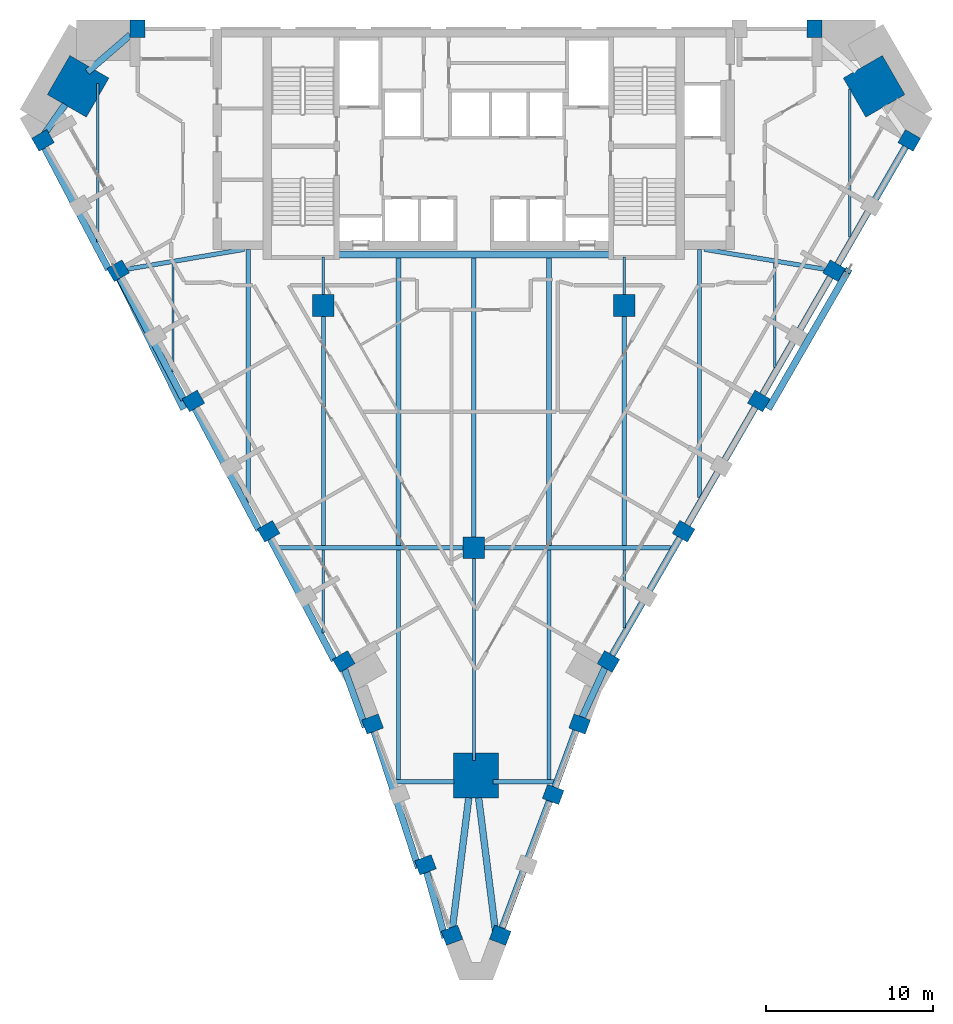
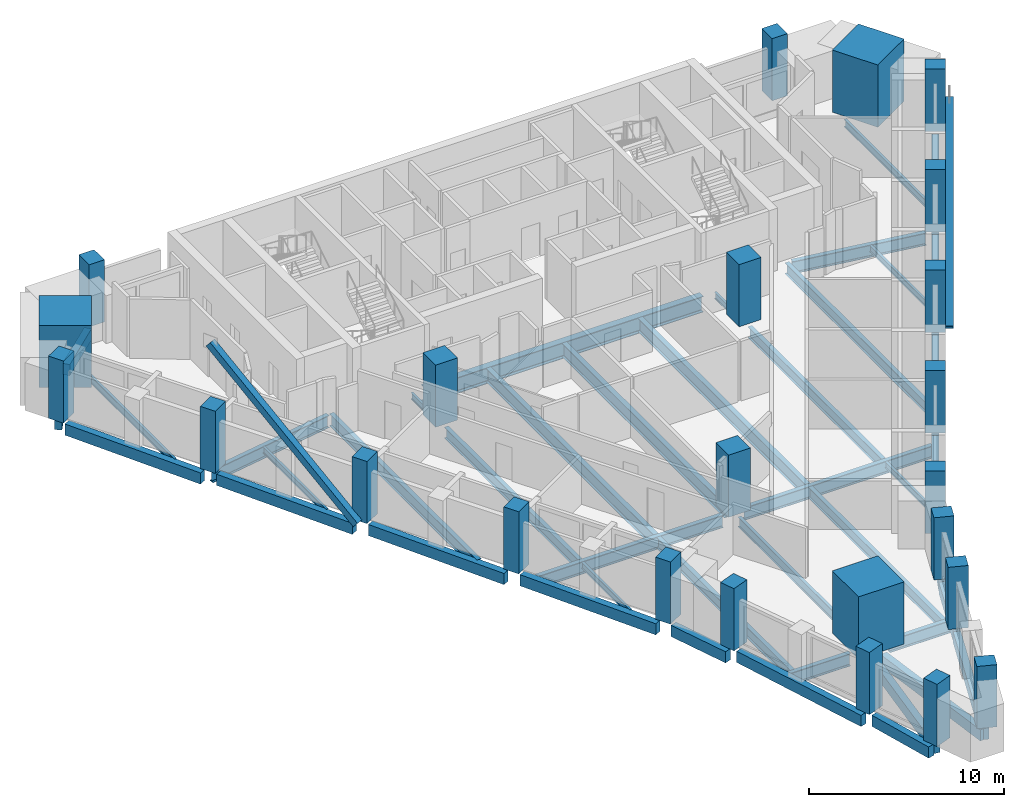
# One storey, part 1 of 9: 43 beams, 24 columns, 2 members.
"""IFC4 building model written with IfcOpenShell, lengths in metres."""

from ifc_helpers import new_model, si_unit, direction, frame, origin, origin_2d, place, context, subcontext, project, spatial, rectangle, hollow_rectangle, i_section, extrude, material, material_profile, profile_set, type_object, element, save


model = new_model("IFC4")

# Units and contexts
model_context = context("Model", 3, precision=1e-05, world=origin(), true_north=direction((0.0, 1.0)))
body_context = subcontext(model_context, "Body", "Model", "MODEL_VIEW")
ifc_project = project(units=[si_unit("LENGTHUNIT", "METRE"), si_unit("AREAUNIT", "SQUARE_METRE"), si_unit("VOLUMEUNIT", "CUBIC_METRE"), si_unit("PLANEANGLEUNIT", "RADIAN"), si_unit("MASSUNIT", "GRAM", prefix="KILO")], contexts=[model_context])

# Site, building, storey
site_placement = place(None, origin())
site = spatial("IfcSite", under=ifc_project, at=site_placement, CompositionType="ELEMENT")
building_placement = place(site_placement, origin())
building = spatial("IfcBuilding", under=site, at=building_placement, Name="Calabash Gate Tower", CompositionType="ELEMENT")
storey_placement = place(building_placement, frame((0.0, 0.0, 160.199951171875)))
storey = spatial("IfcBuildingStorey", under=building, at=storey_placement, Name="L37", CompositionType="ELEMENT", Elevation=160.199951171875)

# Columns
ifc_material_1 = material(Name="Concrete C70/85", Category="concrete")
ifc_material_profile_1 = material_profile(ifc_material_1, rectangle(XDim=1.300048828125, YDim=1.300048828125, at=origin_2d()))
ifc_profile_set_1 = profile_set([ifc_material_profile_1], Name="Concrete C70/85")
column_type_1 = type_object("IfcColumnType", Name="Interior column RC 1300x1300 Concrete C70/85", PredefinedType="COLUMN", material=ifc_profile_set_1)
for number, where, z_axis, x_axis, name in (
    (1, (-9.0, 2.5, 0.0), (0.0, 0.0, 1.0), (1.0, 0.0, 0.0), "Interior column L37 I0"),
    (2, (9.0, 2.5, 0.0), (0.0, 0.0, 1.0), (1.0, 0.0, 0.0), "Interior column L37 I1"),
    (3, (0.0, -12.0, 0.0), (0.0, 0.0, 1.0), (1.0, 0.0, 0.0), "Interior column L37 I2"),
):
    element("IfcColumn", number, at=place(storey_placement, frame(where, z_axis=z_axis, x_axis=x_axis)), inside=storey, type_object=column_type_1, Name=name, PredefinedType="COLUMN", context=body_context, shape_type="SweptSolid", body=[
        extrude(rectangle(XDim=1.300048828125, YDim=1.300048828125, at=origin_2d()), origin(), (0.0, 0.0, 1.0), 3.900146484375),
    ])
ifc_material_2 = material(Name="Concrete C70/85", Category="concrete")
ifc_material_profile_2 = material_profile(ifc_material_2, rectangle(XDim=2.699951171875, YDim=2.699951171875, at=origin_2d()))
ifc_profile_set_2 = profile_set([ifc_material_profile_2], Name="Concrete C70/85")
column_type_2 = type_object("IfcColumnType", Name="Mega column RC 2700x2700 Concrete C70/85", PredefinedType="COLUMN", material=ifc_profile_set_2)
for number, where, z_axis, x_axis, name in (
    (4, (-23.674072265625, 15.610107421875, 0.0), (0.0, 0.0, 1.0), (0.866025386331, -0.50000003023, 0.0), "Mega column L37 NW"),
    (5, (23.948974609375, 15.610107421875, 0.0), (0.0, 0.0, 1.0), (-0.866025386331, -0.50000003023, 0.0), "Mega column L37 NE"),
    (6, (0.136962890625, -25.633056640625, 0.0), (0.0, 0.0, 1.0), (0.0, 1.0, 0.0), "Mega column L37 S"),
):
    element("IfcColumn", number, at=place(storey_placement, frame(where, z_axis=z_axis, x_axis=x_axis)), inside=storey, type_object=column_type_2, Name=name, PredefinedType="COLUMN", context=body_context, shape_type="SweptSolid", body=[
        extrude(rectangle(XDim=2.699951171875, YDim=2.699951171875, at=origin_2d()), origin(), (0.0, 0.0, 1.0), 3.900146484375),
    ])
ifc_material_3 = material(Name="Concrete C60/75", Category="concrete")
ifc_material_profile_3 = material_profile(ifc_material_3, rectangle(XDim=0.89990234375, YDim=1.050048828125, at=origin_2d()))
ifc_profile_set_3 = profile_set([ifc_material_profile_3], Name="Concrete C60/75")
column_type_3 = type_object("IfcColumnType", Name="Perimeter column RC 900x1050 Concrete C60/75", PredefinedType="COLUMN", material=ifc_profile_set_3)
for number, where, z_axis, x_axis, name in (
    (7, (-25.779052734375, 12.3720703125, 0.0), (0.0, 0.0, 1.0), (0.499999984885, -0.866025412511, 0.0), "Perimeter column L37 P20"),
    (8, (-21.279052734375, 4.576904296875, 0.0), (0.0, 0.0, 1.0), (0.499999984885, -0.866025412511, 0.0), "Perimeter column L37 P00"),
    (9, (-16.779052734375, -3.217041015625, 0.0), (0.0, 0.0, 1.0), (0.499999984885, -0.866025412511, 0.0), "Perimeter column L37 P01"),
    (10, (-12.279052734375, -11.010986328125, 0.0), (0.0, 0.0, 1.0), (0.499999984885, -0.866025412511, 0.0), "Perimeter column L37 P02"),
    (11, (-7.779052734375, -18.802978515625, 0.0), (0.0, 0.0, 1.0), (0.499999984885, -0.866025412511, 0.0), "Perimeter column L37 P03"),
    (12, (-6.053955078125, -22.5439453125, 0.0), (0.0, 0.0, 1.0), (0.351822500991, -0.936066732555, 0.0), "Perimeter column L37 P25"),
    (13, (-2.887939453125, -30.968994140625, 0.0), (0.0, 0.0, 1.0), (0.351822500991, -0.936066732555, 0.0), "Perimeter column L37 P26"),
    (14, (-1.303955078125, -35.180908203125, 0.0), (0.0, 0.0, 1.0), (0.351822500991, -0.936066732555, 0.0), "Perimeter column L37 P27"),
    (15, (1.5791015625, -35.180908203125, 0.0), (0.0, 0.0, 1.0), (0.351822451979, 0.936066750977, 0.0), "Perimeter column L37 P28"),
    (16, (4.74609375, -26.757080078125, 0.0), (0.0, 0.0, 1.0), (0.351822451979, 0.936066750977, 0.0), "Perimeter column L37 P08"),
    (17, (6.3291015625, -22.5439453125, 0.0), (0.0, 0.0, 1.0), (0.351822451979, 0.936066750977, 0.0), "Perimeter column L37 P29"),
    (18, (8.053955078125, -18.802978515625, 0.0), (0.0, 0.0, 1.0), (0.500000015115, 0.866025395058, 0.0), "Perimeter column L37 P09"),
    (19, (12.553955078125, -11.010986328125, 0.0), (0.0, 0.0, 1.0), (0.500000015115, 0.866025395058, 0.0), "Perimeter column L37 P10"),
    (20, (17.053955078125, -3.217041015625, 0.0), (0.0, 0.0, 1.0), (0.500000015115, 0.866025395058, 0.0), "Perimeter column L37 P11"),
    (21, (21.553955078125, 4.576904296875, 0.0), (0.0, 0.0, 1.0), (0.500000015115, 0.866025395058, 0.0), "Perimeter column L37 P12"),
    (22, (26.053955078125, 12.3720703125, 0.0), (0.0, 0.0, 1.0), (0.500000015115, 0.866025395058, 0.0), "Perimeter column L37 P13"),
    (23, (20.386962890625, 19.052978515625, 0.0), (0.0, 0.0, 1.0), (-1.0, 0.0, 0.0), "Perimeter column L37 P24"),
    (24, (-20.113037109375, 19.052978515625, 0.0), (0.0, 0.0, 1.0), (-1.0, 0.0, 0.0), "Perimeter column L37 P17"),
):
    element("IfcColumn", number, at=place(storey_placement, frame(where, z_axis=z_axis, x_axis=x_axis)), inside=storey, type_object=column_type_3, Name=name, PredefinedType="COLUMN", context=body_context, shape_type="SweptSolid", body=[
        extrude(rectangle(XDim=0.89990234375, YDim=1.050048828125, at=origin_2d()), origin(), (0.0, 0.0, 1.0), 3.900146484375),
    ])

# Beams
ifc_material_4 = material(Name="Concrete C50/60", Category="concrete")
ifc_material_profile_4 = material_profile(ifc_material_4, rectangle(XDim=0.39990234375, YDim=0.699951171875, at=origin_2d()))
ifc_profile_set_4 = profile_set([ifc_material_profile_4], Name="Concrete C50/60")
beam_type_1 = type_object("IfcBeamType", Name="Edge beam RC 400x700 Concrete C50/60", PredefinedType="BEAM", material=ifc_profile_set_4)
beam_1_placement = place(storey_placement, frame((-16.68408203125, -3.65087890625, -0.52001953125), z_axis=(0.465570473205, -0.885010810374, 0.0), x_axis=(0.885010810374, 0.465570473205, 0.0)))
element("IfcBeam", 25, at=beam_1_placement, inside=storey, type_object=beam_type_1, Name="Edge beam L37 1", PredefinedType="BEAM", context=body_context, shape_type="SweptSolid", body=[
    extrude(rectangle(XDim=0.39990234375, YDim=0.699951171875, at=origin_2d()), origin(), (0.0, 0.0, 1.0), 8.235107421875),
])
beam_2_placement = place(storey_placement, frame((-12.18408203125, -11.443115234375, -0.52001953125), z_axis=(0.465484978649, -0.885055780532, 0.0), x_axis=(0.885055780532, 0.465484978649, 0.0)))
element("IfcBeam", 26, at=beam_2_placement, inside=storey, type_object=beam_type_1, Name="Edge beam L37 2", PredefinedType="BEAM", context=body_context, shape_type="SweptSolid", body=[
    extrude(rectangle(XDim=0.39990234375, YDim=0.699951171875, at=origin_2d()), origin(), (0.0, 0.0, 1.0), 8.236572265625),
])
beam_3_placement = place(storey_placement, frame((-7.73291015625, -19.26904296875, -0.52001953125), z_axis=(0.338776020722, -0.940867051067, 0.0), x_axis=(0.940867051067, 0.338776020722, 0.0)))
element("IfcBeam", 27, at=beam_3_placement, inside=storey, type_object=beam_type_1, Name="Edge beam L37 3", PredefinedType="BEAM", context=body_context, shape_type="SweptSolid", body=[
    extrude(rectangle(XDim=0.39990234375, YDim=0.699951171875, at=origin_2d()), origin(), (0.0, 0.0, 1.0), 3.6689453125),
])
beam_4_placement = place(storey_placement, frame((-5.970947265625, -22.962890625, -0.52001953125), z_axis=(0.309089924102, -0.951032816899, 0.0), x_axis=(0.951032816899, 0.309089924102, 0.0)))
element("IfcBeam", 28, at=beam_4_placement, inside=storey, type_object=beam_type_1, Name="Edge beam L37 4", PredefinedType="BEAM", context=body_context, shape_type="SweptSolid", body=[
    extrude(rectangle(XDim=0.39990234375, YDim=0.699951171875, at=origin_2d()), origin(), (0.0, 0.0, 1.0), 8.599365234375),
])
beam_5_placement = place(storey_placement, frame((-2.81591796875, -31.406005859375, -0.52001953125), z_axis=(0.269004169769, -0.963139012109, 0.0), x_axis=(0.963139012109, 0.269004169769, 0.0)))
element("IfcBeam", 29, at=beam_5_placement, inside=storey, type_object=beam_type_1, Name="Edge beam L37 5", PredefinedType="BEAM", context=body_context, shape_type="SweptSolid", body=[
    extrude(rectangle(XDim=0.39990234375, YDim=0.699951171875, at=origin_2d()), origin(), (0.0, 0.0, 1.0), 4.081298828125),
])
beam_6_placement = place(storey_placement, frame((-1.3330078125, -35.196044921875, -0.52001953125), z_axis=(0.124240929665, 0.99225208057, 0.0), x_axis=(-0.99225208057, 0.124240929665, 0.0)))
element("IfcBeam", 30, at=beam_6_placement, inside=storey, type_object=beam_type_1, Name="Edge beam L37 6", PredefinedType="BEAM", context=body_context, shape_type="SweptSolid", body=[
    extrude(rectangle(XDim=0.39990234375, YDim=0.699951171875, at=origin_2d()), origin(), (0.0, 0.0, 1.0), 8.306396484375),
])
beam_7_placement = place(storey_placement, frame((0.287109375, -26.9541015625, -0.52001953125), z_axis=(0.125640473024, -0.99207583961, 0.0), x_axis=(0.99207583961, 0.125640473024, 0.0)))
element("IfcBeam", 31, at=beam_7_placement, inside=storey, type_object=beam_type_1, Name="Edge beam L37 7", PredefinedType="BEAM", context=body_context, shape_type="SweptSolid", body=[
    extrude(rectangle(XDim=0.39990234375, YDim=0.699951171875, at=origin_2d()), origin(), (0.0, 0.0, 1.0), 8.47607421875),
])
beam_8_placement = place(storey_placement, frame((1.451904296875, -35.39208984375, -0.52001953125), z_axis=(0.349546583338, 0.936918985866, 0.0), x_axis=(-0.936918985866, 0.349546583338, 0.0)))
element("IfcBeam", 32, at=beam_8_placement, inside=storey, type_object=beam_type_1, Name="Edge beam L37 8", PredefinedType="BEAM", context=body_context, shape_type="SweptSolid", body=[
    extrude(rectangle(XDim=0.39990234375, YDim=0.699951171875, at=origin_2d()), origin(), (0.0, 0.0, 1.0), 8.808837890625),
])
beam_9_placement = place(storey_placement, frame((4.618896484375, -26.968017578125, -0.52001953125), z_axis=(0.346923175708, 0.93789354948, 0.0), x_axis=(-0.93789354948, 0.346923175708, 0.0)))
element("IfcBeam", 33, at=beam_9_placement, inside=storey, type_object=beam_type_1, Name="Edge beam L37 9", PredefinedType="BEAM", context=body_context, shape_type="SweptSolid", body=[
    extrude(rectangle(XDim=0.39990234375, YDim=0.699951171875, at=origin_2d()), origin(), (0.0, 0.0, 1.0), 4.3095703125),
])
beam_10_placement = place(storey_placement, frame((6.199951171875, -22.763916015625, -0.52001953125), z_axis=(0.416507314735, 0.909132364825, 0.0), x_axis=(-0.909132364825, 0.416507314735, 0.0)))
element("IfcBeam", 34, at=beam_10_placement, inside=storey, type_object=beam_type_1, Name="Edge beam L37 10", PredefinedType="BEAM", context=body_context, shape_type="SweptSolid", body=[
    extrude(rectangle(XDim=0.39990234375, YDim=0.699951171875, at=origin_2d()), origin(), (0.0, 0.0, 1.0), 3.935546875),
])
beam_11_placement = place(storey_placement, frame((8.06298828125, -18.7900390625, -0.52001953125), z_axis=(0.50002821712, 0.86600911201, 0.0), x_axis=(-0.86600911201, 0.50002821712, 0.0)))
element("IfcBeam", 35, at=beam_11_placement, inside=storey, type_object=beam_type_1, Name="Edge beam L37 11", PredefinedType="BEAM", context=body_context, shape_type="SweptSolid", body=[
    extrude(rectangle(XDim=0.39990234375, YDim=0.699951171875, at=origin_2d()), origin(), (0.0, 0.0, 1.0), 8.54736328125),
])
beam_12_placement = place(storey_placement, frame((12.56298828125, -10.992919921875, -0.52001953125), z_axis=(0.500189053503, 0.865916226177, 0.0), x_axis=(-0.865916226177, 0.500189053503, 0.0)))
element("IfcBeam", 36, at=beam_12_placement, inside=storey, type_object=beam_type_1, Name="Edge beam L37 12", PredefinedType="BEAM", context=body_context, shape_type="SweptSolid", body=[
    extrude(rectangle(XDim=0.39990234375, YDim=0.699951171875, at=origin_2d()), origin(), (0.0, 0.0, 1.0), 8.544677734375),
])
for number, where, z_axis, x_axis, name in (
    (37, (17.06298828125, -3.200927734375, -0.52001953125), (0.500090067066, 0.865973397295, 0.0), (-0.865973397295, 0.500090067066, 0.0), "Edge beam L37 13"),
    (38, (21.56298828125, 4.593017578125, -0.52001953125), (0.500090067066, 0.865973397295, 0.0), (-0.865973397295, 0.500090067066, 0.0), "Edge beam L37 14"),
):
    element("IfcBeam", number, at=place(storey_placement, frame(where, z_axis=z_axis, x_axis=x_axis)), inside=storey, type_object=beam_type_1, Name=name, PredefinedType="BEAM", context=body_context, shape_type="SweptSolid", body=[
        extrude(rectangle(XDim=0.39990234375, YDim=0.699951171875, at=origin_2d()), origin(), (0.0, 0.0, 1.0), 8.54638671875),
    ])
beam_13_placement = place(storey_placement, frame((-20.5458984375, 18.69189453125, -0.52001953125), z_axis=(-0.756580943193, -0.65390005077, 0.0), x_axis=(0.65390005077, -0.756580943193, 0.0)))
element("IfcBeam", 39, at=beam_13_placement, inside=storey, type_object=beam_type_1, Name="Edge beam L37 17", PredefinedType="BEAM", context=body_context, shape_type="SweptSolid", body=[
    extrude(rectangle(XDim=0.39990234375, YDim=0.699951171875, at=origin_2d()), origin(), (0.0, 0.0, 1.0), 3.40234375),
])
beam_14_placement = place(storey_placement, frame((-24.452880859375, 14.528076171875, -0.52001953125), z_axis=(-0.572412684856, -0.819965681121, 0.0), x_axis=(0.819965681121, -0.572412684856, 0.0)))
element("IfcBeam", 40, at=beam_14_placement, inside=storey, type_object=beam_type_1, Name="Edge beam L37 18", PredefinedType="BEAM", context=body_context, shape_type="SweptSolid", body=[
    extrude(rectangle(XDim=0.39990234375, YDim=0.699951171875, at=origin_2d()), origin(), (0.0, 0.0, 1.0), 2.561279296875),
])
beam_15_placement = place(storey_placement, frame((-25.68408203125, 11.93798828125, -0.52001953125), z_axis=(0.465570473205, -0.885010810374, 0.0), x_axis=(0.885010810374, 0.465570473205, 0.0)))
element("IfcBeam", 41, at=beam_15_placement, inside=storey, type_object=beam_type_1, Name="Edge beam L37 19", PredefinedType="BEAM", context=body_context, shape_type="SweptSolid", body=[
    extrude(rectangle(XDim=0.39990234375, YDim=0.699951171875, at=origin_2d()), origin(), (0.0, 0.0, 1.0), 8.235107421875),
])
beam_16_placement = place(storey_placement, frame((-21.18408203125, 4.14306640625, -0.52001953125), z_axis=(0.465619339388, -0.884985102015, 0.0), x_axis=(0.884985102015, 0.465619339388, 0.0)))
element("IfcBeam", 42, at=beam_16_placement, inside=storey, type_object=beam_type_1, Name="Edge beam L37 20", PredefinedType="BEAM", context=body_context, shape_type="SweptSolid", body=[
    extrude(rectangle(XDim=0.39990234375, YDim=0.699951171875, at=origin_2d()), origin(), (0.0, 0.0, 1.0), 8.234130859375),
])
ifc_material_5 = material(Name="Steel ASTM A992 Gr50", Category="steel")
ifc_material_profile_5 = material_profile(ifc_material_5, i_section(OverallWidth=0.1396484375, OverallDepth=0.398681640625, WebThickness=0.00634765625, FlangeThickness=0.0087890625, FilletRadius=0.01025390625, at=origin_2d()))
ifc_profile_set_5 = profile_set([ifc_material_profile_5], Name="Steel ASTM A992 Gr50")
beam_type_2 = type_object("IfcBeamType", Name="Floor beam W16x26 ASTM A992 Gr50", PredefinedType="BEAM", material=ifc_profile_set_5)
beam_17_placement = place(storey_placement, frame((-18.0, -1.492919921875, -0.368896484375), z_axis=(0.0, 1.0, 0.0), x_axis=(-1.0, 0.0, 0.0)))
element("IfcBeam", 43, at=beam_17_placement, inside=storey, type_object=beam_type_2, Name="Floor beam L37 2", PredefinedType="BEAM", context=body_context, shape_type="SweptSolid", body=[
    extrude(i_section(OverallWidth=0.1396484375, OverallDepth=0.398681640625, WebThickness=0.00634765625, FlangeThickness=0.0087890625, FilletRadius=0.01025390625, at=origin_2d()), origin(), (0.0, 0.0, 1.0), 6.50390625),
])
beam_18_placement = place(storey_placement, frame((-9.0, -17.0830078125, -0.368896484375), z_axis=(0.0, 1.0, 0.0), x_axis=(-1.0, 0.0, 0.0)))
element("IfcBeam", 44, at=beam_18_placement, inside=storey, type_object=beam_type_2, Name="Floor beam L37 4", PredefinedType="BEAM", context=body_context, shape_type="SweptSolid", body=[
    extrude(i_section(OverallWidth=0.1396484375, OverallDepth=0.398681640625, WebThickness=0.00634765625, FlangeThickness=0.0087890625, FilletRadius=0.01025390625, at=origin_2d()), origin(), (0.0, 0.0, 1.0), 4.949951171875),
])
beam_19_placement = place(storey_placement, frame((-9.0, 3.14990234375, -0.368896484375), z_axis=(0.0, 1.0, 0.0), x_axis=(-1.0, 0.0, 0.0)))
element("IfcBeam", 45, at=beam_19_placement, inside=storey, type_object=beam_type_2, Name="Floor beam L37 6", PredefinedType="BEAM", context=body_context, shape_type="SweptSolid", body=[
    extrude(i_section(OverallWidth=0.1396484375, OverallDepth=0.398681640625, WebThickness=0.00634765625, FlangeThickness=0.0087890625, FilletRadius=0.01025390625, at=origin_2d()), origin(), (0.0, 0.0, 1.0), 2.253173828125),
])
beam_20_placement = place(storey_placement, frame((9.0, -16.799072265625, -0.368896484375), z_axis=(0.0, 1.0, 0.0), x_axis=(-1.0, 0.0, 0.0)))
element("IfcBeam", 46, at=beam_20_placement, inside=storey, type_object=beam_type_2, Name="Floor beam L37 13", PredefinedType="BEAM", context=body_context, shape_type="SweptSolid", body=[
    extrude(i_section(OverallWidth=0.1396484375, OverallDepth=0.398681640625, WebThickness=0.00634765625, FlangeThickness=0.0087890625, FilletRadius=0.01025390625, at=origin_2d()), origin(), (0.0, 0.0, 1.0), 4.666015625),
])
beam_21_placement = place(storey_placement, frame((9.0, 3.14990234375, -0.368896484375), z_axis=(0.0, 1.0, 0.0), x_axis=(-1.0, 0.0, 0.0)))
element("IfcBeam", 47, at=beam_21_placement, inside=storey, type_object=beam_type_2, Name="Floor beam L37 15", PredefinedType="BEAM", context=body_context, shape_type="SweptSolid", body=[
    extrude(i_section(OverallWidth=0.1396484375, OverallDepth=0.398681640625, WebThickness=0.00634765625, FlangeThickness=0.0087890625, FilletRadius=0.01025390625, at=origin_2d()), origin(), (0.0, 0.0, 1.0), 2.253173828125),
])
beam_22_placement = place(storey_placement, frame((18.0, -1.2109375, -0.368896484375), z_axis=(0.0, 1.0, 0.0), x_axis=(-1.0, 0.0, 0.0)))
element("IfcBeam", 48, at=beam_22_placement, inside=storey, type_object=beam_type_2, Name="Floor beam L37 17", PredefinedType="BEAM", context=body_context, shape_type="SweptSolid", body=[
    extrude(i_section(OverallWidth=0.1396484375, OverallDepth=0.398681640625, WebThickness=0.00634765625, FlangeThickness=0.0087890625, FilletRadius=0.01025390625, at=origin_2d()), origin(), (0.0, 0.0, 1.0), 6.2509765625),
])
ifc_material_6 = material(Name="Steel ASTM A992 Gr50", Category="steel")
ifc_material_profile_6 = material_profile(ifc_material_6, i_section(OverallWidth=0.15234375, OverallDepth=0.44970703125, WebThickness=0.007568359375, FlangeThickness=0.0107421875, FilletRadius=0.01025390625, at=origin_2d()))
ifc_profile_set_6 = profile_set([ifc_material_profile_6], Name="Steel ASTM A992 Gr50")
beam_type_3 = type_object("IfcBeamType", Name="Floor beam W18x35 ASTM A992 Gr50", PredefinedType="BEAM", material=ifc_profile_set_6)
beam_23_placement = place(storey_placement, frame((-22.5, 6.300048828125, -0.39306640625), z_axis=(0.0, 1.0, 0.0), x_axis=(-1.0, 0.0, 0.0)))
element("IfcBeam", 49, at=beam_23_placement, inside=storey, type_object=beam_type_3, Name="Floor beam L37 1", PredefinedType="BEAM", context=body_context, shape_type="SweptSolid", body=[
    extrude(i_section(OverallWidth=0.15234375, OverallDepth=0.44970703125, WebThickness=0.007568359375, FlangeThickness=0.0107421875, FilletRadius=0.01025390625, at=origin_2d()), origin(), (0.0, 0.0, 1.0), 9.47705078125),
])
beam_24_placement = place(storey_placement, frame((22.5, 6.5830078125, -0.39306640625), z_axis=(0.0, 1.0, 0.0), x_axis=(-1.0, 0.0, 0.0)))
element("IfcBeam", 50, at=beam_24_placement, inside=storey, type_object=beam_type_3, Name="Floor beam L37 18", PredefinedType="BEAM", context=body_context, shape_type="SweptSolid", body=[
    extrude(i_section(OverallWidth=0.15234375, OverallDepth=0.44970703125, WebThickness=0.007568359375, FlangeThickness=0.0107421875, FilletRadius=0.01025390625, at=origin_2d()), origin(), (0.0, 0.0, 1.0), 8.863037109375),
])
ifc_material_7 = material(Name="Steel ASTM A992 Gr50", Category="steel")
ifc_material_profile_7 = material_profile(ifc_material_7, i_section(OverallWidth=0.1787109375, OverallDepth=0.60205078125, WebThickness=0.010986328125, FlangeThickness=0.014892578125, FilletRadius=0.0126953125, at=origin_2d()))
ifc_profile_set_7 = profile_set([ifc_material_profile_7], Name="Steel ASTM A992 Gr50")
beam_type_4 = type_object("IfcBeamType", Name="Floor beam W24x62 ASTM A992 Gr50", PredefinedType="BEAM", material=ifc_profile_set_7)
beam_25_placement = place(storey_placement, frame((0.0, -24.712890625, -0.470947265625), z_axis=(0.0, 1.0, 0.0), x_axis=(-1.0, 0.0, 0.0)))
element("IfcBeam", 51, at=beam_25_placement, inside=storey, type_object=beam_type_4, Name="Floor beam L37 9", PredefinedType="BEAM", context=body_context, shape_type="SweptSolid", body=[
    extrude(i_section(OverallWidth=0.1787109375, OverallDepth=0.60205078125, WebThickness=0.010986328125, FlangeThickness=0.014892578125, FilletRadius=0.0126953125, at=origin_2d()), origin(), (0.0, 0.0, 1.0), 12.06298828125),
])
ifc_material_8 = material(Name="Steel ASTM A992 Gr50", Category="steel")
ifc_material_profile_8 = material_profile(ifc_material_8, i_section(OverallWidth=0.25390625, OverallDepth=0.67822265625, WebThickness=0.01171875, FlangeThickness=0.016357421875, FilletRadius=0.01513671875, at=origin_2d()))
ifc_profile_set_8 = profile_set([ifc_material_profile_8], Name="Steel ASTM A992 Gr50")
beam_type_5 = type_object("IfcBeamType", Name="Floor beam W27x84 ASTM A992 Gr50", PredefinedType="BEAM", material=ifc_profile_set_8)
beam_26_placement = place(storey_placement, frame((-9.0, -11.866943359375, -0.509033203125), z_axis=(0.0, 1.0, 0.0), x_axis=(-1.0, 0.0, 0.0)))
element("IfcBeam", 52, at=beam_26_placement, inside=storey, type_object=beam_type_5, Name="Floor beam L37 5", PredefinedType="BEAM", context=body_context, shape_type="SweptSolid", body=[
    extrude(i_section(OverallWidth=0.25390625, OverallDepth=0.67822265625, WebThickness=0.01171875, FlangeThickness=0.016357421875, FilletRadius=0.01513671875, at=origin_2d()), origin(), (0.0, 0.0, 1.0), 13.717041015625),
])
beam_27_placement = place(storey_placement, frame((-4.5, -25.89404296875, -0.509033203125), z_axis=(0.0, 1.0, 0.0), x_axis=(-1.0, 0.0, 0.0)))
element("IfcBeam", 53, at=beam_27_placement, inside=storey, type_object=beam_type_5, Name="Floor beam L37 7", PredefinedType="BEAM", context=body_context, shape_type="SweptSolid", body=[
    extrude(i_section(OverallWidth=0.25390625, OverallDepth=0.67822265625, WebThickness=0.01171875, FlangeThickness=0.016357421875, FilletRadius=0.01513671875, at=origin_2d()), origin(), (0.0, 0.0, 1.0), 13.760986328125),
])
beam_28_placement = place(storey_placement, frame((4.5, -25.866943359375, -0.509033203125), z_axis=(0.0, 1.0, 0.0), x_axis=(-1.0, 0.0, 0.0)))
element("IfcBeam", 54, at=beam_28_placement, inside=storey, type_object=beam_type_5, Name="Floor beam L37 11", PredefinedType="BEAM", context=body_context, shape_type="SweptSolid", body=[
    extrude(i_section(OverallWidth=0.25390625, OverallDepth=0.67822265625, WebThickness=0.01171875, FlangeThickness=0.016357421875, FilletRadius=0.01513671875, at=origin_2d()), origin(), (0.0, 0.0, 1.0), 13.73388671875),
])
beam_29_placement = place(storey_placement, frame((9.0, -11.866943359375, -0.509033203125), z_axis=(0.0, 1.0, 0.0), x_axis=(-1.0, 0.0, 0.0)))
element("IfcBeam", 55, at=beam_29_placement, inside=storey, type_object=beam_type_5, Name="Floor beam L37 14", PredefinedType="BEAM", context=body_context, shape_type="SweptSolid", body=[
    extrude(i_section(OverallWidth=0.25390625, OverallDepth=0.67822265625, WebThickness=0.01171875, FlangeThickness=0.016357421875, FilletRadius=0.01513671875, at=origin_2d()), origin(), (0.0, 0.0, 1.0), 13.717041015625),
])
beam_30_placement = place(storey_placement, frame((13.5, -9.0029296875, -0.509033203125), z_axis=(0.0, 1.0, 0.0), x_axis=(-1.0, 0.0, 0.0)))
element("IfcBeam", 56, at=beam_30_placement, inside=storey, type_object=beam_type_5, Name="Floor beam L37 16", PredefinedType="BEAM", context=body_context, shape_type="SweptSolid", body=[
    extrude(i_section(OverallWidth=0.25390625, OverallDepth=0.67822265625, WebThickness=0.01171875, FlangeThickness=0.016357421875, FilletRadius=0.01513671875, at=origin_2d()), origin(), (0.0, 0.0, 1.0), 14.85595703125),
])
ifc_material_9 = material(Name="Steel ASTM A992 Gr50", Category="steel")
ifc_material_profile_9 = material_profile(ifc_material_9, i_section(OverallWidth=0.2666015625, OverallDepth=0.7568359375, WebThickness=0.013916015625, FlangeThickness=0.019287109375, FilletRadius=0.0166015625, at=origin_2d()))
ifc_profile_set_9 = profile_set([ifc_material_profile_9], Name="Steel ASTM A992 Gr50")
beam_type_6 = type_object("IfcBeamType", Name="Floor beam W30x108 ASTM A992 Gr50", PredefinedType="BEAM", material=ifc_profile_set_9)
beam_31_placement = place(storey_placement, frame((-13.5, -9.2890625, -0.5478515625), z_axis=(0.0, 1.0, 0.0), x_axis=(-1.0, 0.0, 0.0)))
element("IfcBeam", 57, at=beam_31_placement, inside=storey, type_object=beam_type_6, Name="Floor beam L37 3", PredefinedType="BEAM", context=body_context, shape_type="SweptSolid", body=[
    extrude(i_section(OverallWidth=0.2666015625, OverallDepth=0.7568359375, WebThickness=0.013916015625, FlangeThickness=0.019287109375, FilletRadius=0.0166015625, at=origin_2d()), origin(), (0.0, 0.0, 1.0), 15.14208984375),
])
ifc_material_10 = material(Name="Steel ASTM A992 Gr50", Category="steel")
ifc_material_profile_10 = material_profile(ifc_material_10, i_section(OverallWidth=0.2919921875, OverallDepth=0.845703125, WebThickness=0.015380859375, FlangeThickness=0.0244140625, FilletRadius=0.017822265625, at=origin_2d()))
ifc_profile_set_10 = profile_set([ifc_material_profile_10], Name="Steel ASTM A992 Gr50")
beam_type_7 = type_object("IfcBeamType", Name="Floor beam W33x141 ASTM A992 Gr50", PredefinedType="BEAM", material=ifc_profile_set_10)
beam_32_placement = place(storey_placement, frame((-4.5, -11.866943359375, -0.593017578125), z_axis=(0.0, 1.0, 0.0), x_axis=(-1.0, 0.0, 0.0)))
element("IfcBeam", 58, at=beam_32_placement, inside=storey, type_object=beam_type_7, Name="Floor beam L37 8", PredefinedType="BEAM", context=body_context, shape_type="SweptSolid", body=[
    extrude(i_section(OverallWidth=0.2919921875, OverallDepth=0.845703125, WebThickness=0.015380859375, FlangeThickness=0.0244140625, FilletRadius=0.017822265625, at=origin_2d()), origin(), (0.0, 0.0, 1.0), 17.218994140625),
])
beam_33_placement = place(storey_placement, frame((0.0, -11.35009765625, -0.593017578125), z_axis=(0.0, 1.0, 0.0), x_axis=(-1.0, 0.0, 0.0)))
element("IfcBeam", 59, at=beam_33_placement, inside=storey, type_object=beam_type_7, Name="Floor beam L37 10", PredefinedType="BEAM", context=body_context, shape_type="SweptSolid", body=[
    extrude(i_section(OverallWidth=0.2919921875, OverallDepth=0.845703125, WebThickness=0.015380859375, FlangeThickness=0.0244140625, FilletRadius=0.017822265625, at=origin_2d()), origin(), (0.0, 0.0, 1.0), 16.7021484375),
])
beam_34_placement = place(storey_placement, frame((4.5, -11.866943359375, -0.593017578125), z_axis=(0.0, 1.0, 0.0), x_axis=(-1.0, 0.0, 0.0)))
element("IfcBeam", 60, at=beam_34_placement, inside=storey, type_object=beam_type_7, Name="Floor beam L37 12", PredefinedType="BEAM", context=body_context, shape_type="SweptSolid", body=[
    extrude(i_section(OverallWidth=0.2919921875, OverallDepth=0.845703125, WebThickness=0.015380859375, FlangeThickness=0.0244140625, FilletRadius=0.017822265625, at=origin_2d()), origin(), (0.0, 0.0, 1.0), 17.218994140625),
])
ifc_material_11 = material(Name="Steel ASTM A992 Gr50", Category="steel")
ifc_material_profile_11 = material_profile(ifc_material_11, i_section(OverallWidth=0.2666015625, OverallDepth=0.77978515625, WebThickness=0.0166015625, FlangeThickness=0.030029296875, FilletRadius=0.0166015625, at=origin_2d()))
ifc_profile_set_11 = profile_set([ifc_material_profile_11], Name="Steel ASTM A992 Gr50")
beam_type_8 = type_object("IfcBeamType", Name="Girder W30x148 ASTM A992 Gr50", PredefinedType="BEAM", material=ifc_profile_set_11)
beam_35_placement = place(storey_placement, frame((-21.3701171875, 4.56201171875, -0.56005859375), z_axis=(0.985896087356, 0.167358611778, 0.0), x_axis=(-0.167358611778, 0.985896087356, 0.0)))
element("IfcBeam", 61, at=beam_35_placement, inside=storey, type_object=beam_type_8, Name="Girder L37 2", PredefinedType="BEAM", context=body_context, shape_type="SweptSolid", body=[
    extrude(i_section(OverallWidth=0.2666015625, OverallDepth=0.77978515625, WebThickness=0.0166015625, FlangeThickness=0.030029296875, FilletRadius=0.0166015625, at=origin_2d()), origin(), (0.0, 0.0, 1.0), 7.7431640625),
])
beam_36_placement = place(storey_placement, frame((21.031982421875, 4.6630859375, -0.56005859375), z_axis=(-0.986668449856, 0.162743264251, 0.0), x_axis=(-0.162743264251, -0.986668449856, 0.0)))
element("IfcBeam", 62, at=beam_36_placement, inside=storey, type_object=beam_type_8, Name="Girder L37 3", PredefinedType="BEAM", context=body_context, shape_type="SweptSolid", body=[
    extrude(i_section(OverallWidth=0.2666015625, OverallDepth=0.77978515625, WebThickness=0.0166015625, FlangeThickness=0.030029296875, FilletRadius=0.0166015625, at=origin_2d()), origin(), (0.0, 0.0, 1.0), 7.341796875),
])
beam_37_placement = place(storey_placement, frame((-11.677978515625, -12.0, -0.56005859375), z_axis=(1.0, 0.0, 0.0), x_axis=(0.0, 1.0, 0.0)))
element("IfcBeam", 63, at=beam_37_placement, inside=storey, type_object=beam_type_8, Name="Girder L37 4", PredefinedType="BEAM", context=body_context, shape_type="SweptSolid", body=[
    extrude(i_section(OverallWidth=0.2666015625, OverallDepth=0.77978515625, WebThickness=0.0166015625, FlangeThickness=0.030029296875, FilletRadius=0.0166015625, at=origin_2d()), origin(), (0.0, 0.0, 1.0), 11.028076171875),
])
beam_38_placement = place(storey_placement, frame((0.64990234375, -12.0, -0.56005859375), z_axis=(1.0, 0.0, 0.0), x_axis=(0.0, 1.0, 0.0)))
element("IfcBeam", 64, at=beam_38_placement, inside=storey, type_object=beam_type_8, Name="Girder L37 5", PredefinedType="BEAM", context=body_context, shape_type="SweptSolid", body=[
    extrude(i_section(OverallWidth=0.2666015625, OverallDepth=0.77978515625, WebThickness=0.0166015625, FlangeThickness=0.030029296875, FilletRadius=0.0166015625, at=origin_2d()), origin(), (0.0, 0.0, 1.0), 11.123046875),
])
beam_39_placement = place(storey_placement, frame((-4.800048828125, -26.0, -0.56005859375), z_axis=(1.0, 0.0, 0.0), x_axis=(0.0, 1.0, 0.0)))
element("IfcBeam", 65, at=beam_39_placement, inside=storey, type_object=beam_type_8, Name="Girder L37 6", PredefinedType="BEAM", context=body_context, shape_type="SweptSolid", body=[
    extrude(i_section(OverallWidth=0.2666015625, OverallDepth=0.77978515625, WebThickness=0.0166015625, FlangeThickness=0.030029296875, FilletRadius=0.0166015625, at=origin_2d()), origin(), (0.0, 0.0, 1.0), 3.612060546875),
])
beam_40_placement = place(storey_placement, frame((1.156982421875, -26.0, -0.56005859375), z_axis=(1.0, 0.0, 0.0), x_axis=(0.0, 1.0, 0.0)))
element("IfcBeam", 66, at=beam_40_placement, inside=storey, type_object=beam_type_8, Name="Girder L37 7", PredefinedType="BEAM", context=body_context, shape_type="SweptSolid", body=[
    extrude(i_section(OverallWidth=0.2666015625, OverallDepth=0.77978515625, WebThickness=0.0166015625, FlangeThickness=0.030029296875, FilletRadius=0.0166015625, at=origin_2d()), origin(), (0.0, 0.0, 1.0), 3.64013671875),
])
ifc_material_12 = material(Name="Steel ASTM A992 Gr50", Category="steel")
ifc_material_profile_12 = material_profile(ifc_material_12, i_section(OverallWidth=0.4013671875, OverallDepth=1.000732421875, WebThickness=0.01904296875, FlangeThickness=0.0361328125, FilletRadius=0.030029296875, at=origin_2d()))
ifc_profile_set_12 = profile_set([ifc_material_profile_12], Name="Steel ASTM A992 Gr50")
beam_type_9 = type_object("IfcBeamType", Name="Girder W40x249 ASTM A992 Gr50", PredefinedType="BEAM", material=ifc_profile_set_12)
beam_41_placement = place(storey_placement, frame((-8.25, 5.552978515625, -0.669921875), z_axis=(1.0, 0.0, 0.0), x_axis=(0.0, 1.0, 0.0)))
element("IfcBeam", 67, at=beam_41_placement, inside=storey, type_object=beam_type_9, Name="Girder L37 1", PredefinedType="BEAM", context=body_context, shape_type="SweptSolid", body=[
    extrude(i_section(OverallWidth=0.4013671875, OverallDepth=1.000732421875, WebThickness=0.01904296875, FlangeThickness=0.0361328125, FilletRadius=0.030029296875, at=origin_2d()), origin(), (0.0, 0.0, 1.0), 16.5),
])

# Members
ifc_material_13 = material(Name="Steel ASTM A500 Gr C", Category="steel")
ifc_material_profile_13 = material_profile(ifc_material_13, hollow_rectangle(XDim=0.406494140625, YDim=0.406494140625, WallThickness=0.015869140625, at=origin_2d()))
ifc_profile_set_13 = profile_set([ifc_material_profile_13], Name="Steel ASTM A500 Gr C")
member_type = type_object("IfcMemberType", Name="Mega-brace HSS16X16X.625 ASTM A500 Gr C", PredefinedType="BRACE", material=ifc_profile_set_13)
member_1_placement = place(storey_placement, frame((-17.409912109375, -3.5810546875, 0.0), z_axis=(-0.335889432569, 0.68070385734, 0.651015013415), x_axis=(-0.896766401332, -0.442504261496, 0.0)))
element("IfcMember", 68, at=member_1_placement, inside=storey, type_object=member_type, Name="Mega-brace SW Z3 22", PredefinedType="BRACE", context=body_context, shape_type="SweptSolid", body=[
    extrude(hollow_rectangle(XDim=0.406494140625, YDim=0.406494140625, WallThickness=0.015869140625, at=origin_2d()), origin(), (0.0, 0.0, 1.0), 11.9814453125),
])
member_2_placement = place(storey_placement, frame((17.684814453125, -3.5810546875, 0.0), z_axis=(0.385071494992, 0.666962117576, 0.637872618525), x_axis=(-0.866024989479, 0.500000717598, 0.0)))
element("IfcMember", 69, at=member_2_placement, inside=storey, type_object=member_type, Name="Mega-brace SE Z3 26", PredefinedType="BRACE", context=body_context, shape_type="SweptSolid", body=[
    extrude(hollow_rectangle(XDim=0.406494140625, YDim=0.406494140625, WallThickness=0.015869140625, at=origin_2d()), origin(), (0.0, 0.0, 1.0), 12.228271484375),
])

save(model, "model.ifc")
